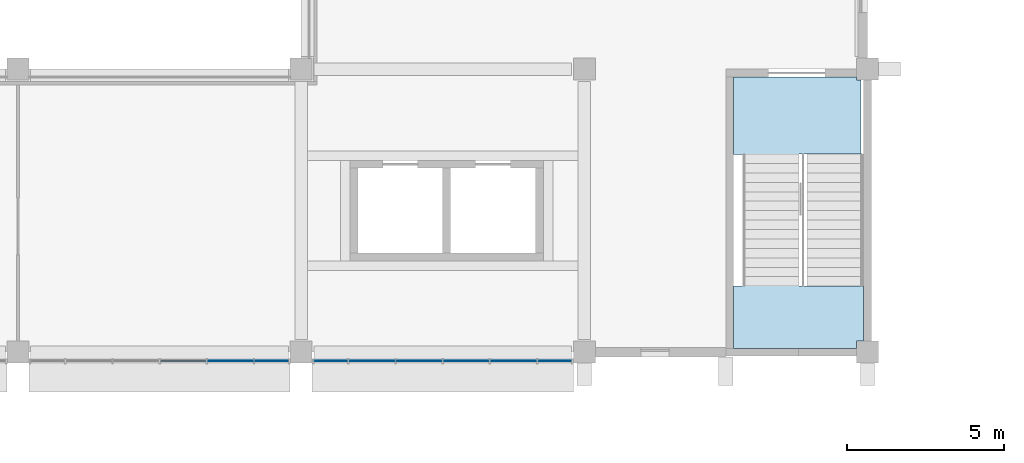
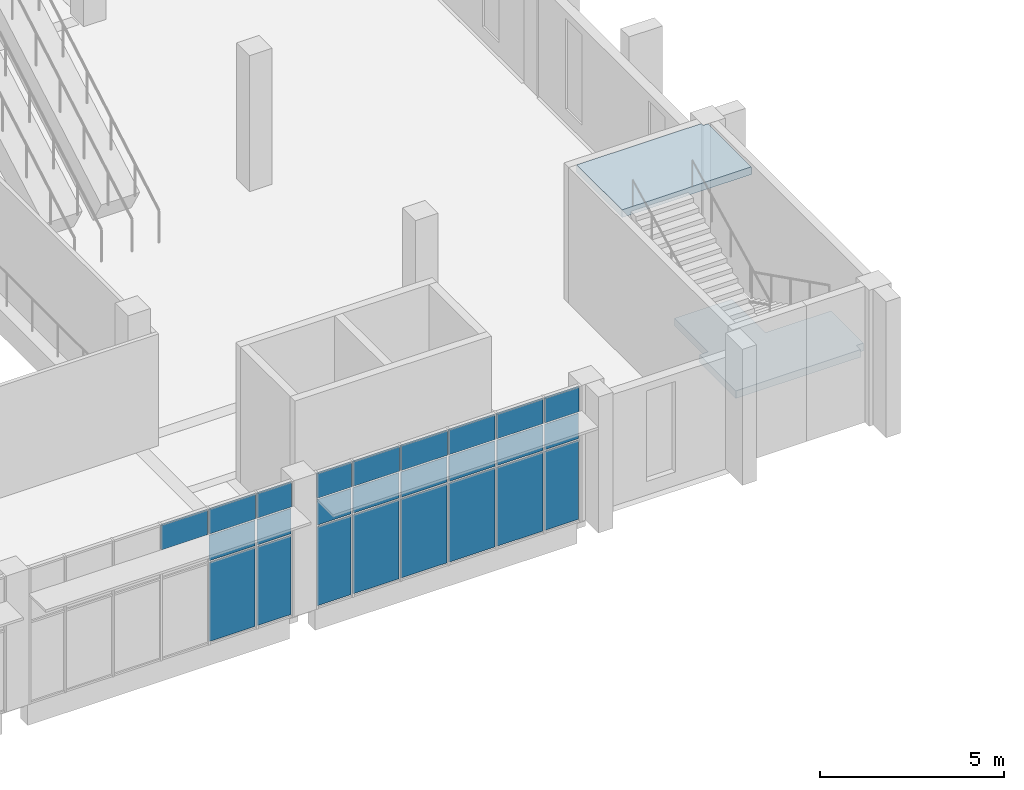
# One storey, part 18 of 45: 25 plates, 2 slabs, 3 elements without a shape of their own.
"""IFC4 building model written with IfcOpenShell, lengths in metres."""

from ifc_helpers import new_model, si_unit, direction, frame, origin, origin_2d, place, context, subcontext, project, spatial, polyline, rectangle, outline, extrude, material, layer, layer_set, type_object, element, aggregate, save


model = new_model("IFC4")

# Units and contexts
model_context = context("Model", 3, precision=1e-05, world=origin(), true_north=direction((0.0, 1.0)))
body_context = subcontext(model_context, "Body", "Model", "MODEL_VIEW")
ifc_project = project(units=[si_unit("LENGTHUNIT", "METRE"), si_unit("AREAUNIT", "SQUARE_METRE"), si_unit("VOLUMEUNIT", "CUBIC_METRE"), si_unit("PLANEANGLEUNIT", "RADIAN"), si_unit("MASSUNIT", "GRAM", prefix="KILO")], contexts=[model_context])

# Site, building, storey
site_placement = place(None, origin())
site = spatial("IfcSite", under=ifc_project, at=site_placement, CompositionType="ELEMENT")
building_placement = place(site_placement, origin())
building = spatial("IfcBuilding", under=site, at=building_placement, Name="Guidao Yard Department Store", CompositionType="ELEMENT")
storey_placement = place(building_placement, frame((0.0, 0.0, 19.5)))
storey = spatial("IfcBuildingStorey", under=building, at=storey_placement, Name="L04", CompositionType="ELEMENT", Elevation=19.5)

# Curtain wall, plates
ifc_material_1 = material(Name="Aluminium and glass", Category="aluminium")
ifc_layer_1 = layer(ifc_material_1, 0.159912109375)
ifc_layer_set_1 = layer_set([ifc_layer_1], Name="Hall front curtain wall CW2 1500 module")
curtain_wall_type = type_object("IfcCurtainWallType", Name="Hall front curtain wall CW2 1500 module", PredefinedType="NOTDEFINED", material=ifc_layer_set_1)
curtain_wall_1_placement = place(storey_placement, origin())
curtain_wall_1 = element("IfcCurtainWall", 1, at=curtain_wall_1_placement, inside=storey, type_object=curtain_wall_type, Name="Hall front curtain wall", PredefinedType="NOTDEFINED")
ifc_material_2 = material(Name="Aluminium 6063-T5 faced insulated spandrel", Category="aluminium")
ifc_layer_2 = layer(ifc_material_2, 0.06005859375)
ifc_layer_set_2 = layer_set([ifc_layer_2], Name="Spandrel panel SP1 insulated opaque")
plate_type_1 = type_object("IfcPlateType", Name="Spandrel panel SP1 insulated opaque", PredefinedType="CURTAIN_PANEL", material=ifc_layer_set_2)
plate_1_placement = place(storey_placement, frame((41.25, 44.719970703125, 3.6298828125), z_axis=(0.0, 0.0, 1.0), x_axis=(-1.0, 0.0, 0.0)))
plate_1 = element("IfcPlate", 2, at=plate_1_placement, type_object=plate_type_1, Name="CW-HF-L04-04 panel 4.3", PredefinedType="CURTAIN_PANEL", context=body_context, shape_type="SweptSolid", body=[
    extrude(rectangle(XDim=1.43994140625, YDim=0.06005859375, at=origin_2d()), origin(), (0.0, 0.0, 1.0), 0.81005859375),
])
plate_2_placement = place(storey_placement, frame((42.75, 44.719970703125, 3.6298828125), z_axis=(0.0, 0.0, 1.0), x_axis=(-1.0, 0.0, 0.0)))
plate_2 = element("IfcPlate", 3, at=plate_2_placement, type_object=plate_type_1, Name="CW-HF-L04-04 panel 5.3", PredefinedType="CURTAIN_PANEL", context=body_context, shape_type="SweptSolid", body=[
    extrude(rectangle(XDim=1.43994140625, YDim=0.06005859375, at=origin_2d()), origin(), (0.0, 0.0, 1.0), 0.81005859375),
])
plate_3_placement = place(storey_placement, frame((44.06005859375, 44.719970703125, 3.6298828125), z_axis=(0.0, 0.0, 1.0), x_axis=(-1.0, 0.0, 0.0)))
plate_3 = element("IfcPlate", 4, at=plate_3_placement, type_object=plate_type_1, Name="CW-HF-L04-04 panel 6.3", PredefinedType="CURTAIN_PANEL", context=body_context, shape_type="SweptSolid", body=[
    extrude(rectangle(XDim=1.06005859375, YDim=0.06005859375, at=origin_2d()), origin(), (0.0, 0.0, 1.0), 0.81005859375),
])

curtain_wall_2_placement = place(storey_placement, origin())
curtain_wall_2 = element("IfcCurtainWall", 5, at=curtain_wall_2_placement, inside=storey, type_object=curtain_wall_type, Name="Hall front curtain wall", PredefinedType="NOTDEFINED")
plate_4_placement = place(storey_placement, frame((45.93994140625, 44.719970703125, 3.6298828125), z_axis=(0.0, 0.0, 1.0), x_axis=(-1.0, 0.0, 0.0)))
plate_4 = element("IfcPlate", 6, at=plate_4_placement, type_object=plate_type_1, Name="CW-HF-L04-05 panel 1.3", PredefinedType="CURTAIN_PANEL", context=body_context, shape_type="SweptSolid", body=[
    extrude(rectangle(XDim=1.06005859375, YDim=0.06005859375, at=origin_2d()), origin(), (0.0, 0.0, 1.0), 0.81005859375),
])
plate_5_placement = place(storey_placement, frame((47.25, 44.719970703125, 3.6298828125), z_axis=(0.0, 0.0, 1.0), x_axis=(-1.0, 0.0, 0.0)))
plate_5 = element("IfcPlate", 7, at=plate_5_placement, type_object=plate_type_1, Name="CW-HF-L04-05 panel 2.3", PredefinedType="CURTAIN_PANEL", context=body_context, shape_type="SweptSolid", body=[
    extrude(rectangle(XDim=1.43994140625, YDim=0.06005859375, at=origin_2d()), origin(), (0.0, 0.0, 1.0), 0.81005859375),
])
plate_6_placement = place(storey_placement, frame((48.75, 44.719970703125, 3.6298828125), z_axis=(0.0, 0.0, 1.0), x_axis=(-1.0, 0.0, 0.0)))
plate_6 = element("IfcPlate", 8, at=plate_6_placement, type_object=plate_type_1, Name="CW-HF-L04-05 panel 3.3", PredefinedType="CURTAIN_PANEL", context=body_context, shape_type="SweptSolid", body=[
    extrude(rectangle(XDim=1.43994140625, YDim=0.06005859375, at=origin_2d()), origin(), (0.0, 0.0, 1.0), 0.81005859375),
])
plate_7_placement = place(storey_placement, frame((50.25, 44.719970703125, 3.6298828125), z_axis=(0.0, 0.0, 1.0), x_axis=(-1.0, 0.0, 0.0)))
plate_7 = element("IfcPlate", 9, at=plate_7_placement, type_object=plate_type_1, Name="CW-HF-L04-05 panel 4.3", PredefinedType="CURTAIN_PANEL", context=body_context, shape_type="SweptSolid", body=[
    extrude(rectangle(XDim=1.43994140625, YDim=0.06005859375, at=origin_2d()), origin(), (0.0, 0.0, 1.0), 0.81005859375),
])
plate_8_placement = place(storey_placement, frame((51.75, 44.719970703125, 3.6298828125), z_axis=(0.0, 0.0, 1.0), x_axis=(-1.0, 0.0, 0.0)))
plate_8 = element("IfcPlate", 10, at=plate_8_placement, type_object=plate_type_1, Name="CW-HF-L04-05 panel 5.3", PredefinedType="CURTAIN_PANEL", context=body_context, shape_type="SweptSolid", body=[
    extrude(rectangle(XDim=1.43994140625, YDim=0.06005859375, at=origin_2d()), origin(), (0.0, 0.0, 1.0), 0.81005859375),
])
plate_9_placement = place(storey_placement, frame((53.06005859375, 44.719970703125, 3.6298828125), z_axis=(0.0, 0.0, 1.0), x_axis=(-1.0, 0.0, 0.0)))
plate_9 = element("IfcPlate", 11, at=plate_9_placement, type_object=plate_type_1, Name="CW-HF-L04-05 panel 6.3", PredefinedType="CURTAIN_PANEL", context=body_context, shape_type="SweptSolid", body=[
    extrude(rectangle(XDim=1.06005859375, YDim=0.06005859375, at=origin_2d()), origin(), (0.0, 0.0, 1.0), 0.81005859375),
])

# Stair, slabs
ifc_material_3 = material(Name="Concrete C35", Category="concrete")
stair_type = type_object("IfcStairType", Name="Stair half-turn two-flight 1800 wide 4.5 m rise", PredefinedType="HALF_TURN_STAIR", material=ifc_material_3)
stair_placement = place(storey_placement, origin())
stair = element("IfcStair", 12, at=stair_placement, inside=storey, type_object=stair_type, Name="Stair A2 L04 to L05", PredefinedType="HALF_TURN_STAIR")
ifc_material_4 = material(Name="Concrete C35", Category="concrete")
ifc_layer_3 = layer(ifc_material_4, 0.25)
ifc_layer_set_3 = layer_set([ifc_layer_3], Name="Stair landing RC 250 C35")
slab_type = type_object("IfcSlabType", Name="Stair landing RC 250 C35", PredefinedType="LANDING", material=ifc_layer_set_3)
slab_1_placement = place(storey_placement, frame((0.0, 0.0, 2.0)))
slab_1 = element("IfcSlab", 13, at=slab_1_placement, type_object=slab_type, Name="SA2-L04 landing 1", PredefinedType="LANDING", context=body_context, shape_type="SweptSolid", body=[
    extrude(outline(polyline([(58.75, 47.10009765625), (59.02490234375, 47.10009765625), (59.02490234375, 48.929931640625), (60.824951171875, 48.929931640625), (60.824951171875, 47.110107421875), (62.875, 47.110107421875), (62.875, 47.10009765625), (62.875, 45.35009765625), (62.64990234375, 45.35009765625), (62.64990234375, 45.125), (58.75, 45.125), (58.75, 47.10009765625)])), origin(), (0.0, 0.0, 1.0), 0.25),
])
slab_2_placement = place(storey_placement, frame((0.0, 0.0, 4.25)))
slab_2 = element("IfcSlab", 14, at=slab_2_placement, type_object=slab_type, Name="SA2-L04 landing 2", PredefinedType="LANDING", context=body_context, shape_type="SweptSolid", body=[
    extrude(outline(polyline([(58.75, 53.75), (60.824951171875, 53.75), (62.64990234375, 53.75), (62.64990234375, 53.64990234375), (62.800048828125, 53.64990234375), (62.800048828125, 51.300048828125), (60.824951171875, 51.300048828125), (60.824951171875, 51.2900390625), (58.75, 51.2900390625), (58.75, 53.75)])), origin(), (0.0, 0.0, 1.0), 0.25),
])
aggregate(stair, [slab_1, slab_2])

# Plate
ifc_material_5 = material(Name="Laminated heat-soaked tempered glass", Category="glass")
ifc_layer_4 = layer(ifc_material_5, 0.017578125)
ifc_layer_set_4 = layer_set([ifc_layer_4], Name="Vision glass VG1 laminated heat-soaked tempered 8+8")
plate_type_2 = type_object("IfcPlateType", Name="Vision glass VG1 laminated heat-soaked tempered 8+8", PredefinedType="CURTAIN_PANEL", material=ifc_layer_set_4)
plate_10_placement = place(storey_placement, frame((42.75, 44.719970703125, 0.06005859375), z_axis=(0.0, 0.0, 1.0), x_axis=(-1.0, 0.0, 0.0)))
plate_10 = element("IfcPlate", 15, at=plate_10_placement, type_object=plate_type_2, Name="CW-HF-L04-04 panel 5.1", PredefinedType="CURTAIN_PANEL", context=body_context, shape_type="SweptSolid", body=[
    extrude(rectangle(XDim=1.43994140625, YDim=0.017578125, at=origin_2d()), origin(), (0.0, 0.0, 1.0), 2.610107421875),
])

plate_11_placement = place(storey_placement, frame((42.75, 44.719970703125, 2.72998046875), z_axis=(0.0, 0.0, 1.0), x_axis=(-1.0, 0.0, 0.0)))
plate_11 = element("IfcPlate", 16, at=plate_11_placement, type_object=plate_type_2, Name="CW-HF-L04-04 panel 5.2", PredefinedType="CURTAIN_PANEL", context=body_context, shape_type="SweptSolid", body=[
    extrude(rectangle(XDim=1.43994140625, YDim=0.017578125, at=origin_2d()), origin(), (0.0, 0.0, 1.0), 0.840087890625),
])

plate_12_placement = place(storey_placement, frame((44.06005859375, 44.719970703125, 0.06005859375), z_axis=(0.0, 0.0, 1.0), x_axis=(-1.0, 0.0, 0.0)))
plate_12 = element("IfcPlate", 17, at=plate_12_placement, type_object=plate_type_2, Name="CW-HF-L04-04 panel 6.1", PredefinedType="CURTAIN_PANEL", context=body_context, shape_type="SweptSolid", body=[
    extrude(rectangle(XDim=1.06005859375, YDim=0.017578125, at=origin_2d()), origin(), (0.0, 0.0, 1.0), 2.610107421875),
])

plate_13_placement = place(storey_placement, frame((44.06005859375, 44.719970703125, 2.72998046875), z_axis=(0.0, 0.0, 1.0), x_axis=(-1.0, 0.0, 0.0)))
plate_13 = element("IfcPlate", 18, at=plate_13_placement, type_object=plate_type_2, Name="CW-HF-L04-04 panel 6.2", PredefinedType="CURTAIN_PANEL", context=body_context, shape_type="SweptSolid", body=[
    extrude(rectangle(XDim=1.06005859375, YDim=0.017578125, at=origin_2d()), origin(), (0.0, 0.0, 1.0), 0.840087890625),
])

aggregate(curtain_wall_1, [plate_1, plate_10, plate_11, plate_2, plate_12, plate_13, plate_3])

plate_14_placement = place(storey_placement, frame((45.93994140625, 44.719970703125, 0.06005859375), z_axis=(0.0, 0.0, 1.0), x_axis=(-1.0, 0.0, 0.0)))
plate_14 = element("IfcPlate", 19, at=plate_14_placement, type_object=plate_type_2, Name="CW-HF-L04-05 panel 1.1", PredefinedType="CURTAIN_PANEL", context=body_context, shape_type="SweptSolid", body=[
    extrude(rectangle(XDim=1.06005859375, YDim=0.017578125, at=origin_2d()), origin(), (0.0, 0.0, 1.0), 2.610107421875),
])

plate_15_placement = place(storey_placement, frame((45.93994140625, 44.719970703125, 2.72998046875), z_axis=(0.0, 0.0, 1.0), x_axis=(-1.0, 0.0, 0.0)))
plate_15 = element("IfcPlate", 20, at=plate_15_placement, type_object=plate_type_2, Name="CW-HF-L04-05 panel 1.2", PredefinedType="CURTAIN_PANEL", context=body_context, shape_type="SweptSolid", body=[
    extrude(rectangle(XDim=1.06005859375, YDim=0.017578125, at=origin_2d()), origin(), (0.0, 0.0, 1.0), 0.840087890625),
])

plate_16_placement = place(storey_placement, frame((47.25, 44.719970703125, 0.06005859375), z_axis=(0.0, 0.0, 1.0), x_axis=(-1.0, 0.0, 0.0)))
plate_16 = element("IfcPlate", 21, at=plate_16_placement, type_object=plate_type_2, Name="CW-HF-L04-05 panel 2.1", PredefinedType="CURTAIN_PANEL", context=body_context, shape_type="SweptSolid", body=[
    extrude(rectangle(XDim=1.43994140625, YDim=0.017578125, at=origin_2d()), origin(), (0.0, 0.0, 1.0), 2.610107421875),
])

plate_17_placement = place(storey_placement, frame((47.25, 44.719970703125, 2.72998046875), z_axis=(0.0, 0.0, 1.0), x_axis=(-1.0, 0.0, 0.0)))
plate_17 = element("IfcPlate", 22, at=plate_17_placement, type_object=plate_type_2, Name="CW-HF-L04-05 panel 2.2", PredefinedType="CURTAIN_PANEL", context=body_context, shape_type="SweptSolid", body=[
    extrude(rectangle(XDim=1.43994140625, YDim=0.017578125, at=origin_2d()), origin(), (0.0, 0.0, 1.0), 0.840087890625),
])

plate_18_placement = place(storey_placement, frame((48.75, 44.719970703125, 0.06005859375), z_axis=(0.0, 0.0, 1.0), x_axis=(-1.0, 0.0, 0.0)))
plate_18 = element("IfcPlate", 23, at=plate_18_placement, type_object=plate_type_2, Name="CW-HF-L04-05 panel 3.1", PredefinedType="CURTAIN_PANEL", context=body_context, shape_type="SweptSolid", body=[
    extrude(rectangle(XDim=1.43994140625, YDim=0.017578125, at=origin_2d()), origin(), (0.0, 0.0, 1.0), 2.610107421875),
])

plate_19_placement = place(storey_placement, frame((48.75, 44.719970703125, 2.72998046875), z_axis=(0.0, 0.0, 1.0), x_axis=(-1.0, 0.0, 0.0)))
plate_19 = element("IfcPlate", 24, at=plate_19_placement, type_object=plate_type_2, Name="CW-HF-L04-05 panel 3.2", PredefinedType="CURTAIN_PANEL", context=body_context, shape_type="SweptSolid", body=[
    extrude(rectangle(XDim=1.43994140625, YDim=0.017578125, at=origin_2d()), origin(), (0.0, 0.0, 1.0), 0.840087890625),
])

plate_20_placement = place(storey_placement, frame((50.25, 44.719970703125, 0.06005859375), z_axis=(0.0, 0.0, 1.0), x_axis=(-1.0, 0.0, 0.0)))
plate_20 = element("IfcPlate", 25, at=plate_20_placement, type_object=plate_type_2, Name="CW-HF-L04-05 panel 4.1", PredefinedType="CURTAIN_PANEL", context=body_context, shape_type="SweptSolid", body=[
    extrude(rectangle(XDim=1.43994140625, YDim=0.017578125, at=origin_2d()), origin(), (0.0, 0.0, 1.0), 2.610107421875),
])

plate_21_placement = place(storey_placement, frame((50.25, 44.719970703125, 2.72998046875), z_axis=(0.0, 0.0, 1.0), x_axis=(-1.0, 0.0, 0.0)))
plate_21 = element("IfcPlate", 26, at=plate_21_placement, type_object=plate_type_2, Name="CW-HF-L04-05 panel 4.2", PredefinedType="CURTAIN_PANEL", context=body_context, shape_type="SweptSolid", body=[
    extrude(rectangle(XDim=1.43994140625, YDim=0.017578125, at=origin_2d()), origin(), (0.0, 0.0, 1.0), 0.840087890625),
])

plate_22_placement = place(storey_placement, frame((51.75, 44.719970703125, 0.06005859375), z_axis=(0.0, 0.0, 1.0), x_axis=(-1.0, 0.0, 0.0)))
plate_22 = element("IfcPlate", 27, at=plate_22_placement, type_object=plate_type_2, Name="CW-HF-L04-05 panel 5.1", PredefinedType="CURTAIN_PANEL", context=body_context, shape_type="SweptSolid", body=[
    extrude(rectangle(XDim=1.43994140625, YDim=0.017578125, at=origin_2d()), origin(), (0.0, 0.0, 1.0), 2.610107421875),
])

plate_23_placement = place(storey_placement, frame((51.75, 44.719970703125, 2.72998046875), z_axis=(0.0, 0.0, 1.0), x_axis=(-1.0, 0.0, 0.0)))
plate_23 = element("IfcPlate", 28, at=plate_23_placement, type_object=plate_type_2, Name="CW-HF-L04-05 panel 5.2", PredefinedType="CURTAIN_PANEL", context=body_context, shape_type="SweptSolid", body=[
    extrude(rectangle(XDim=1.43994140625, YDim=0.017578125, at=origin_2d()), origin(), (0.0, 0.0, 1.0), 0.840087890625),
])

plate_24_placement = place(storey_placement, frame((53.06005859375, 44.719970703125, 0.06005859375), z_axis=(0.0, 0.0, 1.0), x_axis=(-1.0, 0.0, 0.0)))
plate_24 = element("IfcPlate", 29, at=plate_24_placement, type_object=plate_type_2, Name="CW-HF-L04-05 panel 6.1", PredefinedType="CURTAIN_PANEL", context=body_context, shape_type="SweptSolid", body=[
    extrude(rectangle(XDim=1.06005859375, YDim=0.017578125, at=origin_2d()), origin(), (0.0, 0.0, 1.0), 2.610107421875),
])

plate_25_placement = place(storey_placement, frame((53.06005859375, 44.719970703125, 2.72998046875), z_axis=(0.0, 0.0, 1.0), x_axis=(-1.0, 0.0, 0.0)))
plate_25 = element("IfcPlate", 30, at=plate_25_placement, type_object=plate_type_2, Name="CW-HF-L04-05 panel 6.2", PredefinedType="CURTAIN_PANEL", context=body_context, shape_type="SweptSolid", body=[
    extrude(rectangle(XDim=1.06005859375, YDim=0.017578125, at=origin_2d()), origin(), (0.0, 0.0, 1.0), 0.840087890625),
])

aggregate(curtain_wall_2, [plate_14, plate_15, plate_4, plate_16, plate_17, plate_5, plate_18, plate_19, plate_6, plate_20, plate_21, plate_7, plate_22, plate_23, plate_8, plate_24, plate_25, plate_9])

save(model, "model.ifc")
